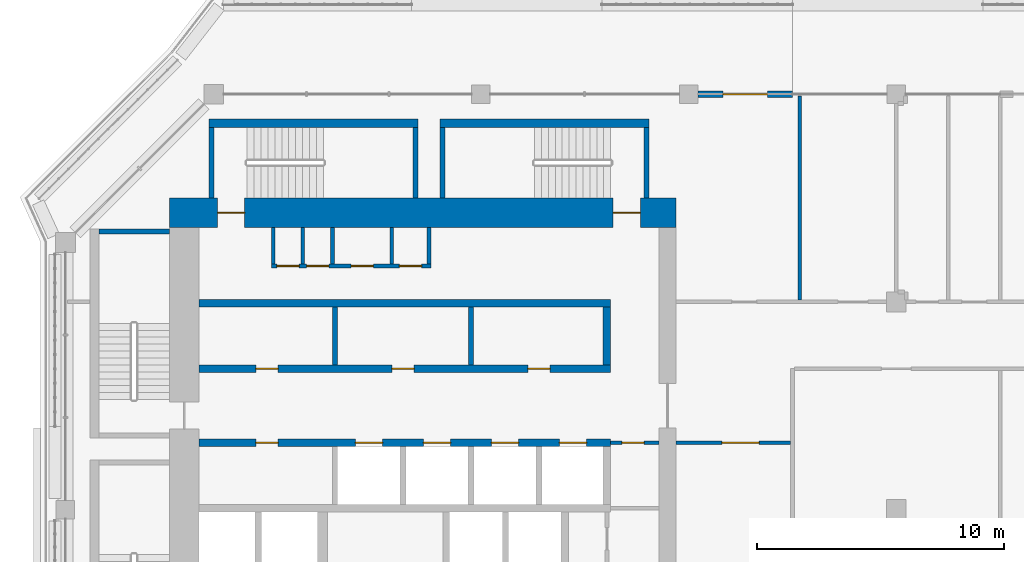
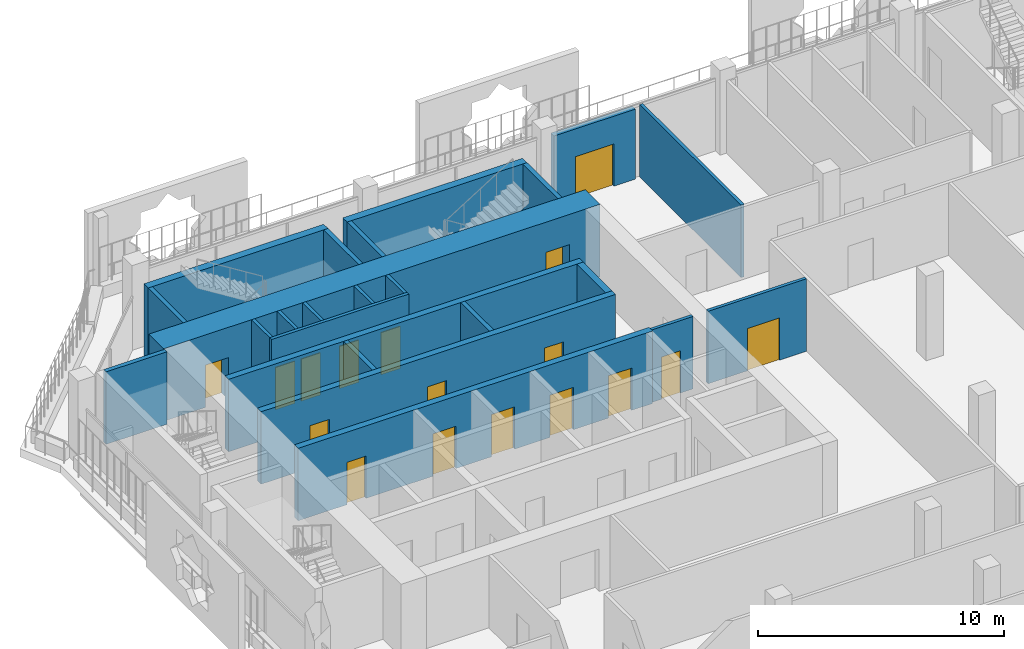
# One storey, part 12 of 21: 24 walls, 17 doors, 17 openings.
"""IFC4 building model written with IfcOpenShell, lengths in metres."""

from ifc_helpers import new_model, si_unit, direction, frame, frame_2d, origin, place, context, subcontext, project, spatial, rectangle, extrude, material, layer, layer_set, type_object, element, fill, save


model = new_model("IFC4")

# Units and contexts
model_context = context("Model", 3, precision=1e-05, world=origin(), true_north=direction((0.0, 1.0)))
body_context = subcontext(model_context, "Body", "Model", "MODEL_VIEW")
ifc_project = project(units=[si_unit("LENGTHUNIT", "METRE"), si_unit("AREAUNIT", "SQUARE_METRE"), si_unit("VOLUMEUNIT", "CUBIC_METRE"), si_unit("PLANEANGLEUNIT", "RADIAN"), si_unit("MASSUNIT", "GRAM", prefix="KILO")], contexts=[model_context])

# Site, building, storey
site_placement = place(None, origin())
site = spatial("IfcSite", under=ifc_project, at=site_placement, CompositionType="ELEMENT")
building_placement = place(site_placement, origin())
building = spatial("IfcBuilding", under=site, at=building_placement, Name="Kawkab Arch Medical Tower", CompositionType="ELEMENT")
storey_placement = place(building_placement, frame((0.0, 0.0, 311.199951171875)))
storey = spatial("IfcBuildingStorey", under=building, at=storey_placement, Name="L72", CompositionType="ELEMENT", Elevation=311.199951171875)

# Wall, openings, doors
ifc_material_1 = material(Name="Concrete C50/60", Category="concrete")
ifc_layer_1 = layer(ifc_material_1, 1.199951171875)
ifc_layer_set_1 = layer_set([ifc_layer_1], Name="Concrete C50/60")
wall_type_1 = type_object("IfcWallType", Name="Core ring wall 1200 C50/60", PredefinedType="SHEAR", material=ifc_layer_set_1)
wall_1_placement = place(storey_placement, frame((4.199951171875, -4.800048828125, 0.0), z_axis=(0.0, 0.0, 1.0), x_axis=(1.0, 0.0, 0.0)))
wall_1 = element("IfcWall", 1, at=wall_1_placement, inside=storey, type_object=wall_type_1, Name="L72 core wall", PredefinedType="SHEAR", context=body_context, shape_type="SweptSolid", body=[
    extrude(rectangle(XDim=20.5, YDim=1.199951171875, at=frame_2d((10.25, 0.0))), origin(), (0.0, 0.0, 1.0), 3.60009765625),
])
opening_1_placement = place(wall_1_placement, frame((1.949951171875, 0.0, 0.0)))
opening_1 = element("IfcOpeningElement", 2, at=opening_1_placement, cuts=wall_1, Name="Opening SD", PredefinedType="OPENING", context=body_context, shape_type="SweptSolid", body=[
    extrude(rectangle(XDim=1.10009765625, YDim=2.10009765625, at=frame_2d((0.550048828125, 1.050048828125))), frame((0.0, 0.60986328125, 0.0), z_axis=(0.0, -1.0, 0.0), x_axis=(1.0, 0.0, 0.0)), (0.0, 0.0, 1.0), 1.219970703125),
])
opening_2_placement = place(wall_1_placement, frame((17.949951171875, 0.0, 0.0)))
opening_2 = element("IfcOpeningElement", 3, at=opening_2_placement, cuts=wall_1, Name="Opening SD", PredefinedType="OPENING", context=body_context, shape_type="SweptSolid", body=[
    extrude(rectangle(XDim=1.10009765625, YDim=2.10009765625, at=frame_2d((0.550048828125, 1.050048828125))), frame((0.0, 0.60986328125, 0.0), z_axis=(0.0, -1.0, 0.0), x_axis=(1.0, 0.0, 0.0)), (0.0, 0.0, 1.0), 1.219970703125),
])
ifc_material_2 = material(Name="Hollow metal fire door leaf")
door_type_1 = type_object("IfcDoorType", Name="Exit stair door 1100", OperationType="SINGLE_SWING_LEFT", PredefinedType="DOOR", material=ifc_material_2)
door_1_placement = place(opening_1_placement, origin())
door_1 = element("IfcDoor", 4, at=door_1_placement, inside=storey, type_object=door_type_1, Name="L72 Exit stair ST3 door", OperationType="SINGLE_SWING_LEFT", OverallHeight=2.10009765625, OverallWidth=1.10009765625, PredefinedType="DOOR", context=body_context, shape_type="SweptSolid", body=[
    extrude(rectangle(XDim=1.10009765625, YDim=2.10009765625, at=frame_2d((0.550048828125, 1.050048828125))), frame((0.0, 0.02490234375, 0.0), z_axis=(0.0, -1.0, 0.0), x_axis=(1.0, 0.0, 0.0)), (0.0, 0.0, 1.0), 0.050048828125),
])
fill(opening_1, door_1)
door_2_placement = place(opening_2_placement, origin())
door_2 = element("IfcDoor", 5, at=door_2_placement, inside=storey, type_object=door_type_1, Name="L72 Exit stair ST4 door", OperationType="SINGLE_SWING_LEFT", OverallHeight=2.10009765625, OverallWidth=1.10009765625, PredefinedType="DOOR", context=body_context, shape_type="SweptSolid", body=[
    extrude(rectangle(XDim=1.10009765625, YDim=2.10009765625, at=frame_2d((0.550048828125, 1.050048828125))), frame((0.0, 0.02490234375, 0.0), z_axis=(0.0, -1.0, 0.0), x_axis=(1.0, 0.0, 0.0)), (0.0, 0.0, 1.0), 0.050048828125),
])
fill(opening_2, door_2)

# Wall, opening, door
ifc_material_3 = material(Name="Gypsum board on steel studs", Category="steel")
ifc_layer_2 = layer(ifc_material_3, 0.14990234375)
ifc_layer_set_2 = layer_set([ifc_layer_2], Name="Gypsum board on steel studs")
wall_type_2 = type_object("IfcWallType", Name="Core room partition 150", PredefinedType="PARTITIONING", material=ifc_layer_set_2)
wall_2_placement = place(storey_placement, frame((22.050048828125, -14.10009765625, 0.0), z_axis=(0.0, 0.0, 1.0), x_axis=(1.0, 0.0, 0.0)))
wall_2 = element("IfcWall", 6, at=wall_2_placement, inside=storey, type_object=wall_type_2, Name="L72 core room partition", PredefinedType="PARTITIONING", context=body_context, shape_type="SweptSolid", body=[
    extrude(rectangle(XDim=1.949951171875, YDim=0.14990234375, at=frame_2d((0.97509765625, 0.0))), origin(), (0.0, 0.0, 1.0), 3.60009765625),
])
opening_3_placement = place(wall_2_placement, frame((0.449951171875, 0.0, 0.0)))
opening_3 = element("IfcOpeningElement", 7, at=opening_3_placement, cuts=wall_2, Name="Opening RD", PredefinedType="OPENING", context=body_context, shape_type="SweptSolid", body=[
    extrude(rectangle(XDim=0.89990234375, YDim=2.10009765625, at=frame_2d((0.449951171875, 1.050048828125))), frame((0.0, 0.0849609375, 0.0), z_axis=(0.0, -1.0, 0.0), x_axis=(1.0, 0.0, 0.0)), (0.0, 0.0, 1.0), 0.169921875),
])
ifc_material_4 = material(Name="Hollow metal fire door leaf")
door_type_2 = type_object("IfcDoorType", Name="Core room door 900", OperationType="SINGLE_SWING_LEFT", PredefinedType="DOOR", material=ifc_material_4)
door_3_placement = place(opening_3_placement, origin())
door_3 = element("IfcDoor", 8, at=door_3_placement, inside=storey, type_object=door_type_2, Name="L72 Medical gas plant room door", OperationType="SINGLE_SWING_LEFT", OverallHeight=2.10009765625, OverallWidth=0.89990234375, PredefinedType="DOOR", context=body_context, shape_type="SweptSolid", body=[
    extrude(rectangle(XDim=0.89990234375, YDim=2.10009765625, at=frame_2d((0.449951171875, 1.050048828125))), frame((0.0, 0.02490234375, 0.0), z_axis=(0.0, -1.0, 0.0), x_axis=(1.0, 0.0, 0.0)), (0.0, 0.0, 1.0), 0.050048828125),
])
fill(opening_3, door_3)

# Wall, openings, doors
wall_3_placement = place(storey_placement, frame((8.324951171875, -6.949951171875, 0.0), z_axis=(0.0, 0.0, 1.0), x_axis=(1.0, 0.0, 0.0)))
wall_3 = element("IfcWall", 9, at=wall_3_placement, inside=storey, type_object=wall_type_2, Name="L72 core room partition", PredefinedType="PARTITIONING", context=body_context, shape_type="SweptSolid", body=[
    extrude(rectangle(XDim=6.449951171875, YDim=0.14990234375, at=frame_2d((3.22509765625, 0.0))), origin(), (0.0, 0.0, 1.0), 3.60009765625),
])
opening_4_placement = place(wall_3_placement, frame((0.22509765625, 0.0, 0.0)))
opening_4 = element("IfcOpeningElement", 10, at=opening_4_placement, cuts=wall_3, Name="Opening RD", PredefinedType="OPENING", context=body_context, shape_type="SweptSolid", body=[
    extrude(rectangle(XDim=0.89990234375, YDim=2.10009765625, at=frame_2d((0.449951171875, 1.050048828125))), frame((0.0, 0.0849609375, 0.0), z_axis=(0.0, -1.0, 0.0), x_axis=(1.0, 0.0, 0.0)), (0.0, 0.0, 1.0), 0.169921875),
])
opening_5_placement = place(wall_3_placement, frame((1.425048828125, 0.0, 0.0)))
opening_5 = element("IfcOpeningElement", 11, at=opening_5_placement, cuts=wall_3, Name="Opening RD", PredefinedType="OPENING", context=body_context, shape_type="SweptSolid", body=[
    extrude(rectangle(XDim=0.89990234375, YDim=2.10009765625, at=frame_2d((0.449951171875, 1.050048828125))), frame((0.0, 0.0849609375, 0.0), z_axis=(0.0, -1.0, 0.0), x_axis=(1.0, 0.0, 0.0)), (0.0, 0.0, 1.0), 0.169921875),
])
opening_6_placement = place(wall_3_placement, frame((3.22509765625, 0.0, 0.0)))
opening_6 = element("IfcOpeningElement", 12, at=opening_6_placement, cuts=wall_3, Name="Opening RD", PredefinedType="OPENING", context=body_context, shape_type="SweptSolid", body=[
    extrude(rectangle(XDim=0.89990234375, YDim=2.10009765625, at=frame_2d((0.449951171875, 1.050048828125))), frame((0.0, 0.0849609375, 0.0), z_axis=(0.0, -1.0, 0.0), x_axis=(1.0, 0.0, 0.0)), (0.0, 0.0, 1.0), 0.169921875),
])
opening_7_placement = place(wall_3_placement, frame((5.175048828125, 0.0, 0.0)))
opening_7 = element("IfcOpeningElement", 13, at=opening_7_placement, cuts=wall_3, Name="Opening RD", PredefinedType="OPENING", context=body_context, shape_type="SweptSolid", body=[
    extrude(rectangle(XDim=0.89990234375, YDim=2.10009765625, at=frame_2d((0.449951171875, 1.050048828125))), frame((0.0, 0.0849609375, 0.0), z_axis=(0.0, -1.0, 0.0), x_axis=(1.0, 0.0, 0.0)), (0.0, 0.0, 1.0), 0.169921875),
])
door_4_placement = place(opening_4_placement, origin())
door_4 = element("IfcDoor", 14, at=door_4_placement, inside=storey, type_object=door_type_2, Name="L72 Electrical riser room door", OperationType="SINGLE_SWING_LEFT", OverallHeight=2.10009765625, OverallWidth=0.89990234375, PredefinedType="DOOR", context=body_context, shape_type="SweptSolid", body=[
    extrude(rectangle(XDim=0.89990234375, YDim=2.10009765625, at=frame_2d((0.449951171875, 1.050048828125))), frame((0.0, 0.02490234375, 0.0), z_axis=(0.0, -1.0, 0.0), x_axis=(1.0, 0.0, 0.0)), (0.0, 0.0, 1.0), 0.050048828125),
])
fill(opening_4, door_4)
door_5_placement = place(opening_5_placement, origin())
door_5 = element("IfcDoor", 15, at=door_5_placement, inside=storey, type_object=door_type_2, Name="L72 Medication store door", OperationType="SINGLE_SWING_LEFT", OverallHeight=2.10009765625, OverallWidth=0.89990234375, PredefinedType="DOOR", context=body_context, shape_type="SweptSolid", body=[
    extrude(rectangle(XDim=0.89990234375, YDim=2.10009765625, at=frame_2d((0.449951171875, 1.050048828125))), frame((0.0, 0.02490234375, 0.0), z_axis=(0.0, -1.0, 0.0), x_axis=(1.0, 0.0, 0.0)), (0.0, 0.0, 1.0), 0.050048828125),
])
fill(opening_5, door_5)
door_6_placement = place(opening_6_placement, origin())
door_6 = element("IfcDoor", 16, at=door_6_placement, inside=storey, type_object=door_type_2, Name="L72 Clean utility room door", OperationType="SINGLE_SWING_LEFT", OverallHeight=2.10009765625, OverallWidth=0.89990234375, PredefinedType="DOOR", context=body_context, shape_type="SweptSolid", body=[
    extrude(rectangle(XDim=0.89990234375, YDim=2.10009765625, at=frame_2d((0.449951171875, 1.050048828125))), frame((0.0, 0.02490234375, 0.0), z_axis=(0.0, -1.0, 0.0), x_axis=(1.0, 0.0, 0.0)), (0.0, 0.0, 1.0), 0.050048828125),
])
fill(opening_6, door_6)
door_7_placement = place(opening_7_placement, origin())
door_7 = element("IfcDoor", 17, at=door_7_placement, inside=storey, type_object=door_type_2, Name="L72 Dirty utility room door", OperationType="SINGLE_SWING_LEFT", OverallHeight=2.10009765625, OverallWidth=0.89990234375, PredefinedType="DOOR", context=body_context, shape_type="SweptSolid", body=[
    extrude(rectangle(XDim=0.89990234375, YDim=2.10009765625, at=frame_2d((0.449951171875, 1.050048828125))), frame((0.0, 0.02490234375, 0.0), z_axis=(0.0, -1.0, 0.0), x_axis=(1.0, 0.0, 0.0)), (0.0, 0.0, 1.0), 0.050048828125),
])
fill(opening_7, door_7)

# Walls
for number, where, z_axis, x_axis, name in (
    (18, (8.39990234375, -6.875, 0.0), (0.0, 0.0, 1.0), (0.0, 1.0, 0.0), "L72 core room partition"),
    (19, (9.60009765625, -6.875, 0.0), (0.0, 0.0, 1.0), (0.0, 1.0, 0.0), "L72 core room partition"),
    (20, (10.800048828125, -6.875, 0.0), (0.0, 0.0, 1.0), (0.0, 1.0, 0.0), "L72 core room partition"),
    (21, (13.199951171875, -6.875, 0.0), (0.0, 0.0, 1.0), (0.0, 1.0, 0.0), "L72 core room partition"),
    (22, (14.699951171875, -6.875, 0.0), (0.0, 0.0, 1.0), (0.0, 1.0, 0.0), "L72 core room partition"),
):
    element("IfcWall", number, at=place(storey_placement, frame(where, z_axis=z_axis, x_axis=x_axis)), inside=storey, type_object=wall_type_2, Name=name, PredefinedType="PARTITIONING", context=body_context, shape_type="SweptSolid", body=[
        extrude(rectangle(XDim=1.47509765625, YDim=0.14990234375, at=frame_2d((0.737548828125, 0.0))), origin(), (0.0, 0.0, 1.0), 3.60009765625),
    ])
ifc_material_5 = material(Name="Concrete C60/75", Category="concrete")
ifc_layer_3 = layer(ifc_material_5, 0.300048828125)
ifc_layer_set_3 = layer_set([ifc_layer_3], Name="Concrete C60/75")
wall_type_3 = type_object("IfcWallType", Name="Core shear wall 300 C60/75", PredefinedType="SHEAR", material=ifc_layer_set_3)
wall_4_placement = place(storey_placement, frame((5.39990234375, -8.449951171875, 0.0), z_axis=(0.0, 0.0, 1.0), x_axis=(1.0, 0.0, 0.0)))
element("IfcWall", 23, at=wall_4_placement, inside=storey, type_object=wall_type_3, Name="L72 core shear wall", PredefinedType="SHEAR", context=body_context, shape_type="SweptSolid", body=[
    extrude(rectangle(XDim=16.650146484375, YDim=0.300048828125, at=frame_2d((8.3251953125, 0.0))), origin(), (0.0, 0.0, 1.0), 3.60009765625),
])

# Wall, openings, doors
wall_5_placement = place(storey_placement, frame((5.39990234375, -11.10009765625, 0.0), z_axis=(0.0, 0.0, 1.0), x_axis=(1.0, 0.0, 0.0)))
wall_5 = element("IfcWall", 24, at=wall_5_placement, inside=storey, type_object=wall_type_3, Name="L72 core shear wall", PredefinedType="SHEAR", context=body_context, shape_type="SweptSolid", body=[
    extrude(rectangle(XDim=16.650146484375, YDim=0.300048828125, at=frame_2d((8.3251953125, 0.0))), origin(), (0.0, 0.0, 1.0), 3.60009765625),
])
opening_8_placement = place(wall_5_placement, frame((2.300048828125, 0.0, 0.0)))
opening_8 = element("IfcOpeningElement", 25, at=opening_8_placement, cuts=wall_5, Name="Opening RD", PredefinedType="OPENING", context=body_context, shape_type="SweptSolid", body=[
    extrude(rectangle(XDim=0.89990234375, YDim=2.10009765625, at=frame_2d((0.449951171875, 1.050048828125))), frame((0.0, 0.159912109375, 0.0), z_axis=(0.0, -1.0, 0.0), x_axis=(1.0, 0.0, 0.0)), (0.0, 0.0, 1.0), 0.320068359375),
])
opening_9_placement = place(wall_5_placement, frame((7.800048828125, 0.0, 0.0)))
opening_9 = element("IfcOpeningElement", 26, at=opening_9_placement, cuts=wall_5, Name="Opening RD", PredefinedType="OPENING", context=body_context, shape_type="SweptSolid", body=[
    extrude(rectangle(XDim=0.89990234375, YDim=2.10009765625, at=frame_2d((0.449951171875, 1.050048828125))), frame((0.0, 0.159912109375, 0.0), z_axis=(0.0, -1.0, 0.0), x_axis=(1.0, 0.0, 0.0)), (0.0, 0.0, 1.0), 0.320068359375),
])
opening_10_placement = place(wall_5_placement, frame((13.300048828125, 0.0, 0.0)))
opening_10 = element("IfcOpeningElement", 27, at=opening_10_placement, cuts=wall_5, Name="Opening RD", PredefinedType="OPENING", context=body_context, shape_type="SweptSolid", body=[
    extrude(rectangle(XDim=0.89990234375, YDim=2.10009765625, at=frame_2d((0.449951171875, 1.050048828125))), frame((0.0, 0.159912109375, 0.0), z_axis=(0.0, -1.0, 0.0), x_axis=(1.0, 0.0, 0.0)), (0.0, 0.0, 1.0), 0.320068359375),
])
door_8_placement = place(opening_8_placement, origin())
door_8 = element("IfcDoor", 28, at=door_8_placement, inside=storey, type_object=door_type_2, Name="L72 Ward pantry door", OperationType="SINGLE_SWING_LEFT", OverallHeight=2.10009765625, OverallWidth=0.89990234375, PredefinedType="DOOR", context=body_context, shape_type="SweptSolid", body=[
    extrude(rectangle(XDim=0.89990234375, YDim=2.10009765625, at=frame_2d((0.449951171875, 1.050048828125))), frame((0.0, 0.02490234375, 0.0), z_axis=(0.0, -1.0, 0.0), x_axis=(1.0, 0.0, 0.0)), (0.0, 0.0, 1.0), 0.050048828125),
])
fill(opening_8, door_8)
door_9_placement = place(opening_9_placement, origin())
door_9 = element("IfcDoor", 29, at=door_9_placement, inside=storey, type_object=door_type_2, Name="L72 Data room door", OperationType="SINGLE_SWING_LEFT", OverallHeight=2.10009765625, OverallWidth=0.89990234375, PredefinedType="DOOR", context=body_context, shape_type="SweptSolid", body=[
    extrude(rectangle(XDim=0.89990234375, YDim=2.10009765625, at=frame_2d((0.449951171875, 1.050048828125))), frame((0.0, 0.02490234375, 0.0), z_axis=(0.0, -1.0, 0.0), x_axis=(1.0, 0.0, 0.0)), (0.0, 0.0, 1.0), 0.050048828125),
])
fill(opening_9, door_9)
door_10_placement = place(opening_10_placement, origin())
door_10 = element("IfcDoor", 30, at=door_10_placement, inside=storey, type_object=door_type_2, Name="L72 Linen store door", OperationType="SINGLE_SWING_LEFT", OverallHeight=2.10009765625, OverallWidth=0.89990234375, PredefinedType="DOOR", context=body_context, shape_type="SweptSolid", body=[
    extrude(rectangle(XDim=0.89990234375, YDim=2.10009765625, at=frame_2d((0.449951171875, 1.050048828125))), frame((0.0, 0.02490234375, 0.0), z_axis=(0.0, -1.0, 0.0), x_axis=(1.0, 0.0, 0.0)), (0.0, 0.0, 1.0), 0.050048828125),
])
fill(opening_10, door_10)

wall_6_placement = place(storey_placement, frame((5.39990234375, -14.10009765625, 0.0), z_axis=(0.0, 0.0, 1.0), x_axis=(1.0, 0.0, 0.0)))
wall_6 = element("IfcWall", 31, at=wall_6_placement, inside=storey, type_object=wall_type_3, Name="L72 core shear wall", PredefinedType="SHEAR", context=body_context, shape_type="SweptSolid", body=[
    extrude(rectangle(XDim=16.650146484375, YDim=0.300048828125, at=frame_2d((8.3251953125, 0.0))), origin(), (0.0, 0.0, 1.0), 3.60009765625),
])
opening_11_placement = place(wall_6_placement, frame((6.324951171875, 0.0, 0.0)))
opening_11 = element("IfcOpeningElement", 32, at=opening_11_placement, cuts=wall_6, Name="Opening LD1", PredefinedType="OPENING", context=body_context, shape_type="SweptSolid", body=[
    extrude(rectangle(XDim=1.10009765625, YDim=2.10009765625, at=frame_2d((0.550048828125, 1.050048828125))), frame((0.0, 0.159912109375, 0.0), z_axis=(0.0, -1.0, 0.0), x_axis=(1.0, 0.0, 0.0)), (0.0, 0.0, 1.0), 0.320068359375),
])
opening_12_placement = place(wall_6_placement, frame((9.074951171875, 0.0, 0.0)))
opening_12 = element("IfcOpeningElement", 33, at=opening_12_placement, cuts=wall_6, Name="Opening LD1", PredefinedType="OPENING", context=body_context, shape_type="SweptSolid", body=[
    extrude(rectangle(XDim=1.10009765625, YDim=2.10009765625, at=frame_2d((0.550048828125, 1.050048828125))), frame((0.0, 0.159912109375, 0.0), z_axis=(0.0, -1.0, 0.0), x_axis=(1.0, 0.0, 0.0)), (0.0, 0.0, 1.0), 0.320068359375),
])
opening_13_placement = place(wall_6_placement, frame((11.824951171875, 0.0, 0.0)))
opening_13 = element("IfcOpeningElement", 34, at=opening_13_placement, cuts=wall_6, Name="Opening LD1", PredefinedType="OPENING", context=body_context, shape_type="SweptSolid", body=[
    extrude(rectangle(XDim=1.10009765625, YDim=2.10009765625, at=frame_2d((0.550048828125, 1.050048828125))), frame((0.0, 0.159912109375, 0.0), z_axis=(0.0, -1.0, 0.0), x_axis=(1.0, 0.0, 0.0)), (0.0, 0.0, 1.0), 0.320068359375),
])
opening_14_placement = place(wall_6_placement, frame((14.574951171875, 0.0, 0.0)))
opening_14 = element("IfcOpeningElement", 35, at=opening_14_placement, cuts=wall_6, Name="Opening LD1", PredefinedType="OPENING", context=body_context, shape_type="SweptSolid", body=[
    extrude(rectangle(XDim=1.10009765625, YDim=2.10009765625, at=frame_2d((0.550048828125, 1.050048828125))), frame((0.0, 0.159912109375, 0.0), z_axis=(0.0, -1.0, 0.0), x_axis=(1.0, 0.0, 0.0)), (0.0, 0.0, 1.0), 0.320068359375),
])
opening_15_placement = place(wall_6_placement, frame((2.300048828125, 0.0, 0.0)))
opening_15 = element("IfcOpeningElement", 36, at=opening_15_placement, cuts=wall_6, Name="Opening RD", PredefinedType="OPENING", context=body_context, shape_type="SweptSolid", body=[
    extrude(rectangle(XDim=0.89990234375, YDim=2.10009765625, at=frame_2d((0.449951171875, 1.050048828125))), frame((0.0, 0.159912109375, 0.0), z_axis=(0.0, -1.0, 0.0), x_axis=(1.0, 0.0, 0.0)), (0.0, 0.0, 1.0), 0.320068359375),
])
door_11_placement = place(opening_15_placement, origin())
door_11 = element("IfcDoor", 37, at=door_11_placement, inside=storey, type_object=door_type_2, Name="L72 Medication store door", OperationType="SINGLE_SWING_LEFT", OverallHeight=2.10009765625, OverallWidth=0.89990234375, PredefinedType="DOOR", context=body_context, shape_type="SweptSolid", body=[
    extrude(rectangle(XDim=0.89990234375, YDim=2.10009765625, at=frame_2d((0.449951171875, 1.050048828125))), frame((0.0, 0.02490234375, 0.0), z_axis=(0.0, -1.0, 0.0), x_axis=(1.0, 0.0, 0.0)), (0.0, 0.0, 1.0), 0.050048828125),
])
fill(opening_15, door_11)
ifc_material_6 = material(Name="Stainless steel lift door leaf", Category="steel")
door_type_3 = type_object("IfcDoorType", Name="Lift landing door 1100", OperationType="DOUBLE_DOOR_SLIDING", PredefinedType="DOOR", material=ifc_material_6)
door_12_placement = place(opening_11_placement, origin())
door_12 = element("IfcDoor", 38, at=door_12_placement, inside=storey, type_object=door_type_3, Name="L72 Lift landing door HP1", OperationType="DOUBLE_DOOR_SLIDING", OverallHeight=2.10009765625, OverallWidth=1.10009765625, PredefinedType="DOOR", context=body_context, shape_type="SweptSolid", body=[
    extrude(rectangle(XDim=1.10009765625, YDim=2.10009765625, at=frame_2d((0.550048828125, 1.050048828125))), frame((0.0, 0.02490234375, 0.0), z_axis=(0.0, -1.0, 0.0), x_axis=(1.0, 0.0, 0.0)), (0.0, 0.0, 1.0), 0.050048828125),
])
fill(opening_11, door_12)
door_13_placement = place(opening_12_placement, origin())
door_13 = element("IfcDoor", 39, at=door_13_placement, inside=storey, type_object=door_type_3, Name="L72 Lift landing door HP2", OperationType="DOUBLE_DOOR_SLIDING", OverallHeight=2.10009765625, OverallWidth=1.10009765625, PredefinedType="DOOR", context=body_context, shape_type="SweptSolid", body=[
    extrude(rectangle(XDim=1.10009765625, YDim=2.10009765625, at=frame_2d((0.550048828125, 1.050048828125))), frame((0.0, 0.02490234375, 0.0), z_axis=(0.0, -1.0, 0.0), x_axis=(1.0, 0.0, 0.0)), (0.0, 0.0, 1.0), 0.050048828125),
])
fill(opening_12, door_13)
door_14_placement = place(opening_13_placement, origin())
door_14 = element("IfcDoor", 40, at=door_14_placement, inside=storey, type_object=door_type_3, Name="L72 Lift landing door HP3", OperationType="DOUBLE_DOOR_SLIDING", OverallHeight=2.10009765625, OverallWidth=1.10009765625, PredefinedType="DOOR", context=body_context, shape_type="SweptSolid", body=[
    extrude(rectangle(XDim=1.10009765625, YDim=2.10009765625, at=frame_2d((0.550048828125, 1.050048828125))), frame((0.0, 0.02490234375, 0.0), z_axis=(0.0, -1.0, 0.0), x_axis=(1.0, 0.0, 0.0)), (0.0, 0.0, 1.0), 0.050048828125),
])
fill(opening_13, door_14)
door_15_placement = place(opening_14_placement, origin())
door_15 = element("IfcDoor", 41, at=door_15_placement, inside=storey, type_object=door_type_3, Name="L72 Lift landing door HP4", OperationType="DOUBLE_DOOR_SLIDING", OverallHeight=2.10009765625, OverallWidth=1.10009765625, PredefinedType="DOOR", context=body_context, shape_type="SweptSolid", body=[
    extrude(rectangle(XDim=1.10009765625, YDim=2.10009765625, at=frame_2d((0.550048828125, 1.050048828125))), frame((0.0, 0.02490234375, 0.0), z_axis=(0.0, -1.0, 0.0), x_axis=(1.0, 0.0, 0.0)), (0.0, 0.0, 1.0), 0.050048828125),
])
fill(opening_14, door_15)

# Wall
wall_7_placement = place(storey_placement, frame((21.89990234375, -10.949951171875, 0.0), z_axis=(0.0, 0.0, 1.0), x_axis=(0.0, 1.0, 0.0)))
element("IfcWall", 42, at=wall_7_placement, inside=storey, type_object=wall_type_3, Name="L72 core shear wall", PredefinedType="SHEAR", context=body_context, shape_type="SweptSolid", body=[
    extrude(rectangle(XDim=2.349853515625, YDim=0.300048828125, at=frame_2d((1.1748046875, 0.0))), origin(), (0.0, 0.0, 1.0), 3.60009765625),
])

# Wall, opening, door
ifc_material_7 = material(Name="Bronze clad insulated wall panel")
ifc_layer_4 = layer(ifc_material_7, 0.25)
ifc_layer_set_4 = layer_set([ifc_layer_4], Name="Bronze clad insulated wall panel")
wall_type_4 = type_object("IfcWallType", Name="External wall bay 250", PredefinedType="SOLIDWALL", material=ifc_layer_set_4)
wall_8_placement = place(storey_placement, frame((29.39990234375, 0.0, 0.0), z_axis=(0.0, 0.0, 1.0), x_axis=(-1.0, 0.0, 0.0)))
wall_8 = element("IfcWall", 43, at=wall_8_placement, inside=storey, type_object=wall_type_4, Name="External wall bay L72.R15.3.2", PredefinedType="SOLIDWALL", context=body_context, shape_type="SweptSolid", body=[
    extrude(rectangle(XDim=3.824951171875, YDim=0.25, at=frame_2d((1.91259765625, 0.0))), origin(), (0.0, 0.0, 1.0), 3.47998046875),
])
opening_16_placement = place(wall_8_placement, frame((1.012451171875, 0.0, 0.0)))
opening_16 = element("IfcOpeningElement", 44, at=opening_16_placement, cuts=wall_8, Name="Opening W67-701", PredefinedType="OPENING", context=body_context, shape_type="SweptSolid", body=[
    extrude(rectangle(XDim=1.800048828125, YDim=2.10009765625, at=frame_2d((0.89990234375, 1.050048828125))), frame((0.0, 0.135009765625, 0.0), z_axis=(0.0, -1.0, 0.0), x_axis=(1.0, 0.0, 0.0)), (0.0, 0.0, 1.0), 0.27001953125),
])
ifc_material_8 = material(Name="Bronze anodised aluminium door with tinted glass", Category="aluminium")
door_type_4 = type_object("IfcDoorType", Name="Double external door 1800 x 2100", OperationType="DOUBLE_DOOR_SINGLE_SWING", PredefinedType="DOOR", material=ifc_material_8)
door_16_placement = place(opening_16_placement, origin())
door_16 = element("IfcDoor", 45, at=door_16_placement, inside=storey, type_object=door_type_4, Name="External door L72.R15.3.2", OperationType="DOUBLE_DOOR_SINGLE_SWING", OverallHeight=2.10009765625, OverallWidth=1.800048828125, PredefinedType="DOOR", context=body_context, shape_type="SweptSolid", body=[
    extrude(rectangle(XDim=1.800048828125, YDim=2.10009765625, at=frame_2d((0.89990234375, 1.050048828125))), frame((0.0, 0.02490234375, 0.0), z_axis=(0.0, -1.0, 0.0), x_axis=(1.0, 0.0, 0.0)), (0.0, 0.0, 1.0), 0.050048828125),
])
fill(opening_16, door_16)

# Walls
ifc_material_9 = material(Name="Dense concrete blockwork", Category="masonry")
ifc_layer_5 = layer(ifc_material_9, 0.199951171875)
ifc_layer_set_5 = layer_set([ifc_layer_5], Name="Dense concrete blockwork")
wall_type_5 = type_object("IfcWallType", Name="Lift shaft partition 200", PredefinedType="PARTITIONING", material=ifc_layer_set_5)
for number, where, z_axis, x_axis, name in (
    (46, (10.89990234375, -10.949951171875, 0.0), (0.0, 0.0, 1.0), (0.0, 1.0, 0.0), "L72 lift shaft partition"),
    (47, (16.39990234375, -10.949951171875, 0.0), (0.0, 0.0, 1.0), (0.0, 1.0, 0.0), "L72 lift shaft partition"),
):
    element("IfcWall", number, at=place(storey_placement, frame(where, z_axis=z_axis, x_axis=x_axis)), inside=storey, type_object=wall_type_5, Name=name, PredefinedType="PARTITIONING", context=body_context, shape_type="SweptSolid", body=[
        extrude(rectangle(XDim=2.349853515625, YDim=0.199951171875, at=frame_2d((1.1748046875, 0.0))), origin(), (0.0, 0.0, 1.0), 3.60009765625),
    ])

# Wall, opening, door
ifc_material_10 = material(Name="Gypsum board partition on steel studs, mineral wool", Category="steel")
ifc_layer_6 = layer(ifc_material_10, 0.14990234375)
ifc_layer_set_6 = layer_set([ifc_layer_6], Name="Gypsum board partition on steel studs, mineral wool")
wall_type_6 = type_object("IfcWallType", Name="Partition 150", PredefinedType="PARTITIONING", material=ifc_layer_set_6)
wall_9_placement = place(storey_placement, frame((24.699951171875, -14.10009765625, 0.0), z_axis=(0.0, 0.0, 1.0), x_axis=(1.0, 0.0, 0.0)))
wall_9 = element("IfcWall", 48, at=wall_9_placement, inside=storey, type_object=wall_type_6, Name="Partition 150 w010", PredefinedType="PARTITIONING", context=body_context, shape_type="SweptSolid", body=[
    extrude(rectangle(XDim=4.625, YDim=0.14990234375, at=frame_2d((2.3125, 0.0))), origin(), (0.0, 0.0, 1.0), 3.60009765625),
])
opening_17_placement = place(wall_9_placement, frame((1.85009765625, 0.0, 0.0)))
opening_17 = element("IfcOpeningElement", 49, at=opening_17_placement, cuts=wall_9, Name="Opening W67-001", PredefinedType="OPENING", context=body_context, shape_type="SweptSolid", body=[
    extrude(rectangle(XDim=1.5, YDim=2.10009765625, at=frame_2d((0.75, 1.050048828125))), frame((0.0, 0.0849609375, 0.0), z_axis=(0.0, -1.0, 0.0), x_axis=(1.0, 0.0, 0.0)), (0.0, 0.0, 1.0), 0.169921875),
])
ifc_material_11 = material(Name="Hollow metal door leaf")
door_type_5 = type_object("IfcDoorType", Name="Double door 1500x2100 FD30S", OperationType="NOTDEFINED", PredefinedType="DOOR", material=ifc_material_11)
door_17_placement = place(opening_17_placement, origin())
door_17 = element("IfcDoor", 50, at=door_17_placement, inside=storey, type_object=door_type_5, Name="Door W67-001", OperationType="DOUBLE_DOOR_SINGLE_SWING", OverallHeight=2.10009765625, OverallWidth=1.5, PredefinedType="DOOR", context=body_context, shape_type="SweptSolid", body=[
    extrude(rectangle(XDim=1.5, YDim=2.10009765625, at=frame_2d((0.75, 1.050048828125))), frame((0.0, 0.02490234375, 0.0), z_axis=(0.0, -1.0, 0.0), x_axis=(1.0, 0.0, 0.0)), (0.0, 0.0, 1.0), 0.050048828125),
])
fill(opening_17, door_17)

# Walls
wall_10_placement = place(storey_placement, frame((29.699951171875, -8.324951171875, 0.0), z_axis=(0.0, 0.0, 1.0), x_axis=(0.0, 1.0, 0.0)))
element("IfcWall", 51, at=wall_10_placement, inside=storey, type_object=wall_type_6, Name="Partition 150 w022", PredefinedType="PARTITIONING", context=body_context, shape_type="SweptSolid", body=[
    extrude(rectangle(XDim=8.244873046875, YDim=0.14990234375, at=frame_2d((4.12255859375, 0.0))), origin(), (0.0, 0.0, 1.0), 3.60009765625),
])
ifc_material_12 = material(Name="Concrete C50/60", Category="concrete")
ifc_layer_7 = layer(ifc_material_12, 0.199951171875)
ifc_layer_set_7 = layer_set([ifc_layer_7], Name="Concrete C50/60")
wall_type_7 = type_object("IfcWallType", Name="Stair enclosure wall 200 C50/60", PredefinedType="SHEAR", material=ifc_layer_set_7)
for number, where, z_axis, x_axis, name in (
    (52, (1.35009765625, -5.550048828125, 0.0), (0.0, 0.0, 1.0), (1.0, 0.0, 0.0), "L72 stair enclosure wall"),
    (53, (5.89990234375, -4.199951171875, 0.0), (0.0, 0.0, 1.0), (0.0, 1.0, 0.0), "L72 stair enclosure wall"),
    (54, (14.14990234375, -4.199951171875, 0.0), (0.0, 0.0, 1.0), (0.0, 1.0, 0.0), "L72 stair enclosure wall"),
    (55, (15.25, -4.199951171875, 0.0), (0.0, 0.0, 1.0), (0.0, 1.0, 0.0), "L72 stair enclosure wall"),
    (56, (23.5, -4.199951171875, 0.0), (0.0, 0.0, 1.0), (0.0, 1.0, 0.0), "L72 stair enclosure wall"),
):
    element("IfcWall", number, at=place(storey_placement, frame(where, z_axis=z_axis, x_axis=x_axis)), inside=storey, type_object=wall_type_7, Name=name, PredefinedType="SHEAR", context=body_context, shape_type="SweptSolid", body=[
        extrude(rectangle(XDim=2.849853515625, YDim=0.199951171875, at=frame_2d((1.4248046875, 0.0))), origin(), (0.0, 0.0, 1.0), 3.60009765625),
    ])
ifc_material_13 = material(Name="Concrete C50/60", Category="concrete")
ifc_layer_8 = layer(ifc_material_13, 0.35009765625)
ifc_layer_set_8 = layer_set([ifc_layer_8], Name="Concrete C50/60")
wall_type_8 = type_object("IfcWallType", Name="Stair enclosure wall 350 C50/60", PredefinedType="SHEAR", material=ifc_layer_set_8)
wall_11_placement = place(storey_placement, frame((5.800048828125, -1.175048828125, 0.0), z_axis=(0.0, 0.0, 1.0), x_axis=(1.0, 0.0, 0.0)))
element("IfcWall", 57, at=wall_11_placement, inside=storey, type_object=wall_type_8, Name="L72 stair enclosure wall", PredefinedType="SHEAR", context=body_context, shape_type="SweptSolid", body=[
    extrude(rectangle(XDim=8.449951171875, YDim=0.35009765625, at=frame_2d((4.22509765625, 0.0))), origin(), (0.0, 0.0, 1.0), 3.60009765625),
])
wall_12_placement = place(storey_placement, frame((15.14990234375, -1.175048828125, 0.0), z_axis=(0.0, 0.0, 1.0), x_axis=(1.0, 0.0, 0.0)))
element("IfcWall", 58, at=wall_12_placement, inside=storey, type_object=wall_type_8, Name="L72 stair enclosure wall", PredefinedType="SHEAR", context=body_context, shape_type="SweptSolid", body=[
    extrude(rectangle(XDim=8.4501953125, YDim=0.35009765625, at=frame_2d((4.22509765625, 0.0))), origin(), (0.0, 0.0, 1.0), 3.60009765625),
])

save(model, "model.ifc")
